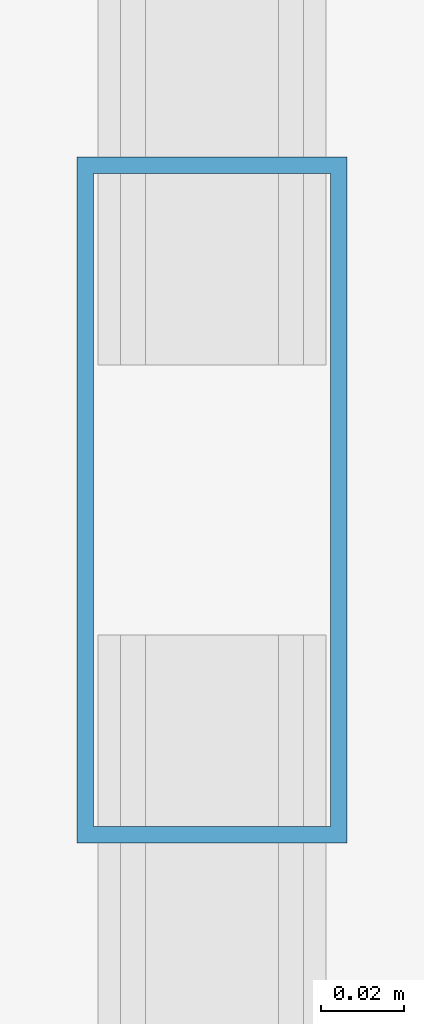
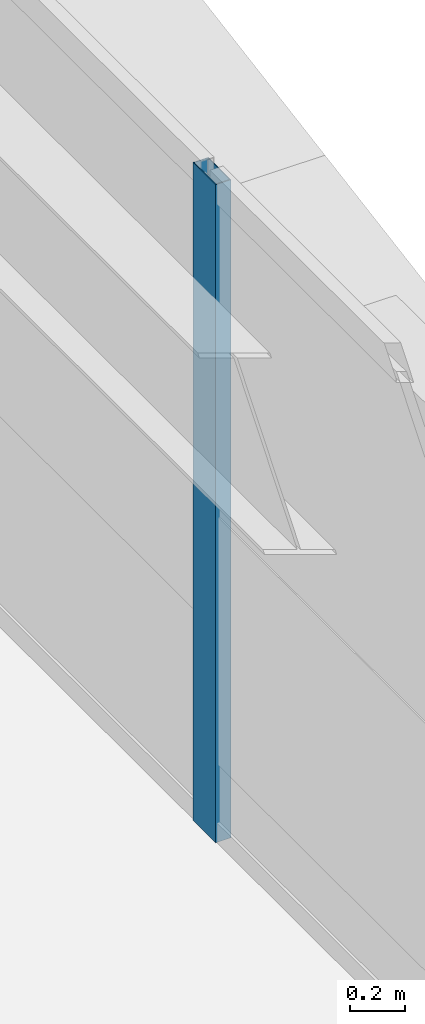
# One storey, part 26 of 59: 1 member, 1 element without a shape of its own.
"""IFC4 building model written with IfcOpenShell, lengths in metres."""

import ifcopenshell
import ifcopenshell.guid

model = None  # the IFC model being written
_history = None  # IfcOwnerHistory: only IFC2X3 demands one
_inside = {}  # id of a spatial element -> (the spatial element, [elements in it])
_under = {}  # id of a project, library or spatial element -> (it, [spatial elements below it])
_declared = {}  # id of a project -> (the project, [libraries it declares])
_typed = {}  # id of a type object -> (the type object, [elements of that type])
_made_of = {}  # id of a material, layer set ... -> (it, [elements and type objects made of it])


def new_model(schema):
    """Start an empty IFC model of exactly this schema.

    Asked for "IFC4X3", IfcOpenShell would pick the latest addendum, in which some entities
    have other attributes; the version numbers below select the first issue.
    IFC2X3 requires an IfcOwnerHistory on every rooted entity: one is made here for all.
    """
    global model, _history
    if schema == "IFC4X3":
        model = ifcopenshell.file(schema_version=(4, 3, 0, 0))
    else:
        model = ifcopenshell.file(schema=schema)
    _inside.clear()
    _under.clear()
    _declared.clear()
    _typed.clear()
    _made_of.clear()
    _history = None
    if model.schema == "IFC2X3":
        org = make("IfcOrganization", Name="unknown")
        user = make(
            "IfcPersonAndOrganization",
            ThePerson=make("IfcPerson", FamilyName="unknown"),
            TheOrganization=org,
        )
        app = make(
            "IfcApplication",
            ApplicationDeveloper=org,
            Version="unknown",
            ApplicationFullName="unknown",
            ApplicationIdentifier="unknown",
        )
        _history = make(
            "IfcOwnerHistory",
            OwningUser=user,
            OwningApplication=app,
            ChangeAction="ADDED",
            CreationDate=0,
        )
    return model


def make(cls, **values):
    """One entity of the class cls with the attributes given. An attribute that is None is left unset."""
    return model.create_entity(
        cls, **{name: value for name, value in values.items() if value is not None}
    )


def rooted(cls, **values):
    """An entity with a GlobalId (a new one), such as an element, a storey or a relation."""
    return make(cls, GlobalId=ifcopenshell.guid.new(), OwnerHistory=_history, **values)


def si_unit(unit_type, name, prefix=None):
    """IfcSIUnit, for example si_unit("LENGTHUNIT", "METRE", prefix="MILLI")."""
    return make("IfcSIUnit", UnitType=unit_type, Prefix=prefix, Name=name)


def assignment(units):
    """IfcUnitAssignment: the units of a project."""
    return None if units is None else make("IfcUnitAssignment", Units=units)


def point(xyz):
    """IfcCartesianPoint."""
    return None if xyz is None else make("IfcCartesianPoint", Coordinates=xyz)


def direction(xyz):
    """IfcDirection."""
    return None if xyz is None else make("IfcDirection", DirectionRatios=xyz)


def frame(location, z_axis=None, x_axis=None):
    """IfcAxis2Placement3D, a coordinate frame: its origin and axes. An axis left out is left unset."""
    return make(
        "IfcAxis2Placement3D",
        Location=point(location),
        Axis=direction(z_axis),
        RefDirection=direction(x_axis),
    )


def frame_2d(location, x_axis=None):
    """IfcAxis2Placement2D, a coordinate frame in the plane: its origin and x axis."""
    return make(
        "IfcAxis2Placement2D", Location=point(location), RefDirection=direction(x_axis)
    )


def origin():
    """The frame at (0, 0, 0) with its axes left unset."""
    return frame((0.0, 0.0, 0.0))


def origin_2d():
    """The frame at (0, 0) in the plane with its x axis left unset."""
    return frame_2d((0.0, 0.0))


def place(relative_to, where):
    """IfcLocalPlacement: puts the frame where relative to a parent placement (None: the world)."""
    return make(
        "IfcLocalPlacement", PlacementRelTo=relative_to, RelativePlacement=where
    )


def context(
    kind, dimensions, precision=None, world=None, true_north=None, identifier=None
):
    """IfcGeometricRepresentationContext, for example the 3D "Model" context."""
    return make(
        "IfcGeometricRepresentationContext",
        ContextIdentifier=identifier,
        ContextType=kind,
        CoordinateSpaceDimension=dimensions,
        Precision=precision,
        WorldCoordinateSystem=world,
        TrueNorth=true_north,
    )


def subcontext(parent, identifier, kind, view, scale=None):
    """IfcGeometricRepresentationSubContext, for example "Body" below "Model"."""
    return make(
        "IfcGeometricRepresentationSubContext",
        ContextIdentifier=identifier,
        ContextType=kind,
        ParentContext=parent,
        TargetScale=scale,
        TargetView=view,
    )


def project(units=None, contexts=None):
    """IfcProject with its units and contexts."""
    return rooted(
        "IfcProject",
        Name="project",
        RepresentationContexts=contexts,
        UnitsInContext=assignment(units),
    )


def spatial(cls, under=None, at=None, **own):
    """A site, building, storey or space (cls), placed at a placement, below another one or the project."""
    s = rooted(cls, ObjectPlacement=at, **own)
    if under is not None:
        _under.setdefault(under.id(), (under, []))[1].append(s)
    return s


def profile(cls, at=None, kind="AREA", **sizes):
    """A parametric profile (cls). Its sizes go by their IFC names, for example OverallWidth=200.0."""
    return make(cls, ProfileType=kind, Position=at, **sizes)


def hollow_rectangle(**sizes):
    """IfcRectangleHollowProfileDef."""
    return profile("IfcRectangleHollowProfileDef", **sizes)


def extrude(swept, where, along, depth):
    """IfcExtrudedAreaSolid: the profile swept, set in the frame where, extruded along a direction by depth."""
    return make(
        "IfcExtrudedAreaSolid",
        SweptArea=swept,
        Position=where,
        ExtrudedDirection=direction(along),
        Depth=depth,
    )


def shape(context_of_items, identifier, shape_type, items):
    """IfcShapeRepresentation: the items that make up one representation, for example the "Body"."""
    return make(
        "IfcShapeRepresentation",
        ContextOfItems=context_of_items,
        RepresentationIdentifier=identifier,
        RepresentationType=shape_type,
        Items=items,
    )


def source(mapping_origin, context_of_items, identifier, shape_type, items):
    """IfcRepresentationMap: a shape defined once, which mapped items show again and again."""
    return make(
        "IfcRepresentationMap",
        MappingOrigin=mapping_origin,
        MappedRepresentation=shape(context_of_items, identifier, shape_type, items),
    )


def transform(
    local_origin,
    x_axis=None,
    y_axis=None,
    z_axis=None,
    scale=None,
    scale2=None,
    scale3=None,
    uniform=True,
):
    """IfcCartesianTransformationOperator3D, or its non-uniform kind. x_axis, y_axis, z_axis: its Axis1, 2, 3."""
    if uniform:
        return make(
            "IfcCartesianTransformationOperator3D",
            Axis1=direction(x_axis),
            Axis2=direction(y_axis),
            LocalOrigin=point(local_origin),
            Scale=scale,
            Axis3=direction(z_axis),
        )
    return make(
        "IfcCartesianTransformationOperator3DnonUniform",
        Axis1=direction(x_axis),
        Axis2=direction(y_axis),
        LocalOrigin=point(local_origin),
        Scale=scale,
        Axis3=direction(z_axis),
        Scale2=scale2,
        Scale3=scale3,
    )


def mapped(mapping_source, mapping_target):
    """IfcMappedItem: shows the shape of a source again, moved by a transform."""
    return make(
        "IfcMappedItem", MappingSource=mapping_source, MappingTarget=mapping_target
    )


def material(Name=None, Category=None):
    """IfcMaterial."""
    return make("IfcMaterial", Name=Name, Category=Category)


def layer(
    of_material, thickness, ventilated=None, Name=None, Category=None, Priority=None
):
    """IfcMaterialLayer: one layer of a wall or slab, of a material (None: an air gap)."""
    return make(
        "IfcMaterialLayer",
        Material=of_material,
        LayerThickness=thickness,
        IsVentilated=ventilated,
        Name=Name,
        Category=Category,
        Priority=Priority,
    )


def layer_set(layers, Name=None):
    """IfcMaterialLayerSet."""
    return make("IfcMaterialLayerSet", MaterialLayers=layers, LayerSetName=Name)


def material_profile(
    of_material, cross_section, Name=None, Category=None, Priority=None
):
    """IfcMaterialProfile: a cross section and its material."""
    return make(
        "IfcMaterialProfile",
        Name=Name,
        Material=of_material,
        Profile=cross_section,
        Priority=Priority,
        Category=Category,
    )


def profile_set(profiles, Name=None, composite=None):
    """IfcMaterialProfileSet."""
    return make(
        "IfcMaterialProfileSet",
        Name=Name,
        MaterialProfiles=profiles,
        CompositeProfile=composite,
    )


def made_of(thing, what):
    """Note that an element or type object is made of a material, layer set ...; save() writes the relation."""
    if what is not None:
        _made_of.setdefault(what.id(), (what, []))[1].append(thing)
    return thing


def type_object(cls, material=None, **own):
    """A type object (cls), such as IfcWallType, which elements share."""
    return made_of(rooted(cls, **own), material)


def element(
    cls,
    number,
    at=None,
    inside=None,
    cuts=None,
    type_object=None,
    material=None,
    context=None,
    identifier="Body",
    shape_type=None,
    held_by="IfcProductDefinitionShape",
    body=None,
    shapes=None,
    **own,
):
    """One element of the class cls, such as IfcWall. Its Tag is "e" and its number.

    at: its placement. inside: the storey or other place that contains it. cuts: it is an
    opening in that element (IfcRelVoidsElement). A single representation is given by context,
    identifier, shape_type and body (its items); several are given by shapes. held_by: the class
    of the entity that holds the representations. save() writes the other relations.
    """
    e = rooted(cls, Tag="e%d" % number, ObjectPlacement=at, **own)
    if body is not None:
        shapes = [shape(context, identifier, shape_type, body)]
    if shapes is not None:
        e.Representation = make(held_by, Representations=shapes)
    if inside is not None:
        _inside.setdefault(inside.id(), (inside, []))[1].append(e)
    if cuts is not None:
        rooted(
            "IfcRelVoidsElement", RelatingBuildingElement=cuts, RelatedOpeningElement=e
        )
    if type_object is not None:
        _typed.setdefault(type_object.id(), (type_object, []))[1].append(e)
    return made_of(e, material)


def aggregate(whole, parts):
    """IfcRelAggregates: a whole, such as a stair, and the parts it consists of."""
    return rooted("IfcRelAggregates", RelatingObject=whole, RelatedObjects=parts)


def save(model, path):
    """Write the relations noted so far, then the file.

    IfcRelAggregates (storeys below a building ...), IfcRelContainedInSpatialStructure (elements
    in a storey), IfcRelDefinesByType, IfcRelAssociatesMaterial and IfcRelDeclares: one each for
    every whole, place, type object, material and project.
    """
    for whole, parts in _under.values():
        aggregate(whole, parts)
    for where, things in _inside.values():
        rooted(
            "IfcRelContainedInSpatialStructure",
            RelatedElements=things,
            RelatingStructure=where,
        )
    for kind, things in _typed.values():
        rooted("IfcRelDefinesByType", RelatedObjects=things, RelatingType=kind)
    for what, things in _made_of.values():
        rooted("IfcRelAssociatesMaterial", RelatedObjects=things, RelatingMaterial=what)
    for by, libraries in _declared.values():
        rooted("IfcRelDeclares", RelatingContext=by, RelatedDefinitions=libraries)
    model.write(path)


model = new_model("IFC4")

# Units and contexts
model_context = context("Model", 3, precision=1e-05, world=origin(), true_north=direction((0.0, 1.0)))
body_context = subcontext(model_context, "Body", "Model", "MODEL_VIEW")
ifc_project = project(units=[si_unit("LENGTHUNIT", "METRE"), si_unit("AREAUNIT", "SQUARE_METRE"), si_unit("VOLUMEUNIT", "CUBIC_METRE"), si_unit("PLANEANGLEUNIT", "RADIAN"), si_unit("MASSUNIT", "GRAM", prefix="KILO")], contexts=[model_context])

# Site, building, storey
site_placement = place(None, origin())
site = spatial("IfcSite", under=ifc_project, at=site_placement, CompositionType="ELEMENT")
building_placement = place(site_placement, origin())
building = spatial("IfcBuilding", under=site, at=building_placement, Name="Taldren Reach Tower", CompositionType="ELEMENT")
storey_placement = place(building_placement, frame((0.0, 0.0, 48.300048828125)))
storey = spatial("IfcBuildingStorey", under=building, at=storey_placement, Name="L14", CompositionType="ELEMENT", Elevation=48.300048828125)

# Curtain wall, member
ifc_material_1 = material(Name="Aluminium and Low-E Glass Unitised System", Category="aluminium")
ifc_layer = layer(ifc_material_1, 0.159912109375)
ifc_layer_set = layer_set([ifc_layer], Name="Aluminium and Low-E Glass Unitised System")
curtain_wall_type = type_object("IfcCurtainWallType", Name="CW-SYS-2", PredefinedType="NOTDEFINED", material=ifc_layer_set)
curtain_wall_placement = place(storey_placement, origin())
curtain_wall = element("IfcCurtainWall", 1, at=curtain_wall_placement, inside=storey, type_object=curtain_wall_type, Name="Unitised curtain wall CW-L14-E", PredefinedType="NOTDEFINED")
ifc_material_2 = material(Name="Anodised Aluminium 6063-T6", Category="aluminium")
ifc_material_profile = material_profile(ifc_material_2, hollow_rectangle(XDim=0.06494140625, YDim=0.1650390625, WallThickness=0.00390625, at=origin_2d()), Name="ALU-165x65x4RHS")
ifc_profile_set = profile_set([ifc_material_profile], Name="Anodised Aluminium 6063-T6")
member_type = type_object("IfcMemberType", Name="CW-MUL-165", PredefinedType="MULLION", material=ifc_profile_set)
shared_shape = source(origin(), body_context, "Body", "SweptSolid", [
    extrude(hollow_rectangle(XDim=0.06494140625, YDim=0.1650390625, WallThickness=0.00390625, at=origin_2d()), origin(), (0.0, 0.0, 1.0), 2.929931640625),
])
member_placement = place(storey_placement, frame((64.860107421875, 11.388916015625, 0.0), z_axis=(0.0, 0.0, 1.0), x_axis=(-1.0, 0.0, 0.0)))
member = element("IfcMember", 2, at=member_placement, type_object=member_type, Name="CW-2 mullion 3", PredefinedType="MULLION", context=body_context, shape_type="MappedRepresentation", body=[
    mapped(shared_shape, transform((0.0, 0.0, 0.0), scale=1.0)),
])
aggregate(curtain_wall, [member])

save(model, "model.ifc")
